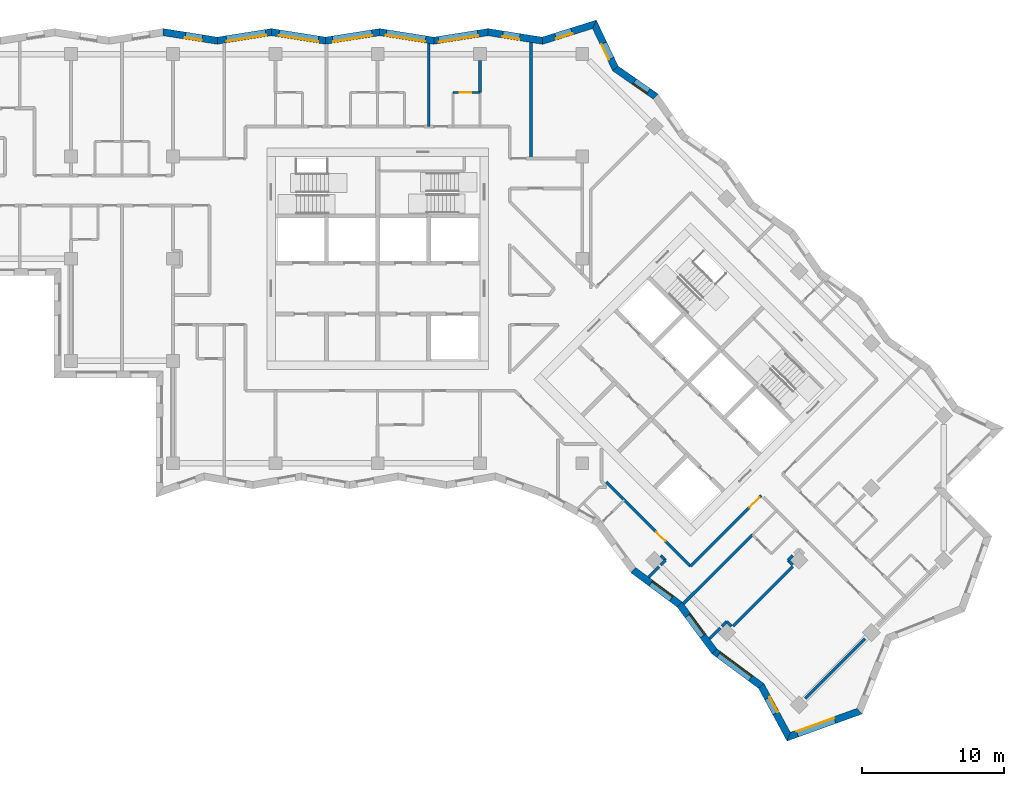
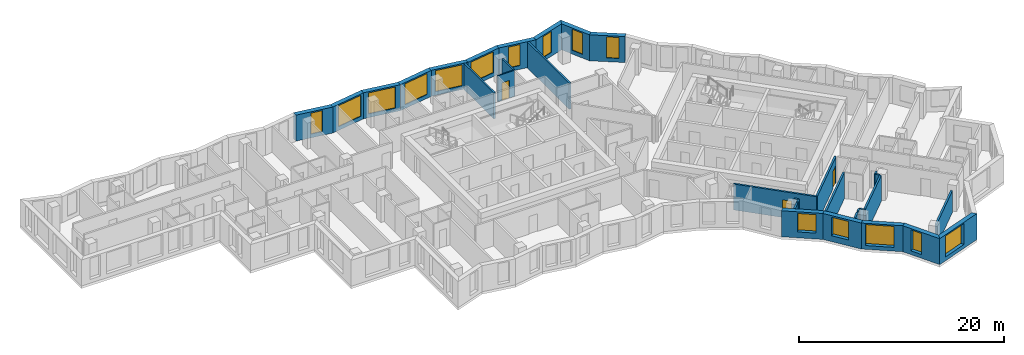
# One storey, part 7 of 12: 32 walls, 15 windows, 3 doors, 18 openings.
"""IFC4 building model written with IfcOpenShell, lengths in metres."""

from ifc_helpers import new_model, si_unit, direction, frame, frame_2d, origin, place, context, subcontext, project, spatial, polyline, rectangle, outline, extrude, material, layer, layer_set, type_object, element, fill, save


model = new_model("IFC4")

# Units and contexts
model_context = context("Model", 3, precision=1e-05, world=origin(), true_north=direction((0.0, 1.0)))
body_context = subcontext(model_context, "Body", "Model", "MODEL_VIEW")
ifc_project = project(units=[si_unit("LENGTHUNIT", "METRE"), si_unit("AREAUNIT", "SQUARE_METRE"), si_unit("VOLUMEUNIT", "CUBIC_METRE"), si_unit("PLANEANGLEUNIT", "RADIAN"), si_unit("MASSUNIT", "GRAM", prefix="KILO")], contexts=[model_context])

# Site, building, storey
site_placement = place(None, origin())
site = spatial("IfcSite", under=ifc_project, at=site_placement, CompositionType="ELEMENT")
building_placement = place(site_placement, origin())
building = spatial("IfcBuilding", under=site, at=building_placement, Name="Windrow Commons", CompositionType="ELEMENT")
storey_placement = place(building_placement, frame((0.0, 0.0, 169.4)))
storey = spatial("IfcBuildingStorey", under=building, at=storey_placement, Name="L46", CompositionType="ELEMENT", Elevation=169.4)

# Wall, opening, window
ifc_material_1 = material(Name="Brick masonry, red clay brick", Category="masonry")
ifc_layer_1 = layer(ifc_material_1, 0.5)
ifc_layer_set_1 = layer_set([ifc_layer_1], Name="Brick facade wall 500")
wall_type_1 = type_object("IfcWallType", Name="Brick facade wall 500", PredefinedType="SOLIDWALL", material=ifc_layer_set_1)
wall_1_placement = place(storey_placement, frame((93.7403, 23.9398, 0.0), z_axis=(0.0, 0.0, 1.0), x_axis=(0.9408725254, 0.3387608166, 0.0)))
wall_1 = element("IfcWall", 1, at=wall_1_placement, inside=storey, type_object=wall_type_1, Name="Brick facade wall L46 1", PredefinedType="SOLIDWALL", context=body_context, shape_type="SweptSolid", body=[
    extrude(outline(polyline([(-0.2149, -0.25), (5.4223, -0.25), (5.1969, 0.25), (0.2149, 0.25), (-0.2149, -0.25)])), origin(), (0.0, 0.0, 1.0), 3.1),
])
opening_1_placement = place(wall_1_placement, frame((0.646, 0.0, 0.45)))
opening_1 = element("IfcOpeningElement", 2, at=opening_1_placement, cuts=wall_1, Name="Opening W1U", PredefinedType="OPENING", context=body_context, shape_type="SweptSolid", body=[
    extrude(rectangle(XDim=2.8, YDim=2.5, at=frame_2d((1.4, 1.25))), frame((0.0, 0.26, 0.0), z_axis=(0.0, -1.0, 0.0), x_axis=(1.0, 0.0, 0.0)), (0.0, 0.0, 1.0), 0.52),
])
ifc_material_2 = material(Name="Clear float glass in anodised aluminium frame", Category="aluminium")
window_type_1 = type_object("IfcWindowType", Name="Window W1U bedroom 2800x2500", PartitioningType="SINGLE_PANEL", PredefinedType="WINDOW", material=ifc_material_2)
window_1_placement = place(opening_1_placement, origin())
window_1 = element("IfcWindow", 3, at=window_1_placement, inside=storey, type_object=window_type_1, Name="Window L46 1.1", OverallHeight=2.5, OverallWidth=2.8, PartitioningType="SINGLE_PANEL", PredefinedType="WINDOW", context=body_context, shape_type="SweptSolid", body=[
    extrude(rectangle(XDim=2.8, YDim=2.5, at=frame_2d((1.4, 1.25))), frame((0.0, 0.18, 0.0), z_axis=(0.0, -1.0, 0.0), x_axis=(1.0, 0.0, 0.0)), (0.0, 0.0, 1.0), 0.06),
])
fill(opening_1, window_1)

wall_2_placement = place(storey_placement, frame((84.3758, 69.015, 0.0), z_axis=(0.0, 0.0, 1.0), x_axis=(-0.8202238295, 0.5720427166, 0.0)))
wall_2 = element("IfcWall", 4, at=wall_2_placement, inside=storey, type_object=wall_type_1, Name="Brick facade wall L46 17", PredefinedType="SOLIDWALL", context=body_context, shape_type="SweptSolid", body=[
    extrude(outline(polyline([(-0.0446, -0.25), (3.3917, -0.25), (3.5242, 0.25), (0.0446, 0.25), (-0.0446, -0.25)])), origin(), (0.0, 0.0, 1.0), 3.1),
])
opening_2_placement = place(wall_2_placement, frame((0.6247, 0.0, 0.45)))
opening_2 = element("IfcOpeningElement", 5, at=opening_2_placement, cuts=wall_2, Name="Opening W7E", PredefinedType="OPENING", context=body_context, shape_type="SweptSolid", body=[
    extrude(rectangle(XDim=1.2, YDim=2.5, at=frame_2d((0.6, 1.25))), frame((0.0, 0.26, 0.0), z_axis=(0.0, -1.0, 0.0), x_axis=(1.0, 0.0, 0.0)), (0.0, 0.0, 1.0), 0.52),
])
ifc_material_3 = material(Name="Clear float glass in anodised aluminium frame", Category="aluminium")
window_type_2 = type_object("IfcWindowType", Name="Window W7 notch 1200x2500", PartitioningType="SINGLE_PANEL", PredefinedType="WINDOW", material=ifc_material_3)
window_2_placement = place(opening_2_placement, origin())
window_2 = element("IfcWindow", 6, at=window_2_placement, inside=storey, type_object=window_type_2, Name="Window L46 17.1", OverallHeight=2.5, OverallWidth=1.2, PartitioningType="SINGLE_PANEL", PredefinedType="WINDOW", context=body_context, shape_type="SweptSolid", body=[
    extrude(rectangle(XDim=1.2, YDim=2.5, at=frame_2d((0.6, 1.25))), frame((0.0, 0.18, 0.0), z_axis=(0.0, -1.0, 0.0), x_axis=(1.0, 0.0, 0.0)), (0.0, 0.0, 1.0), 0.06),
])
fill(opening_2, window_2)

wall_3_placement = place(storey_placement, frame((81.5395, 70.9931, 0.0), z_axis=(0.0, 0.0, 1.0), x_axis=(-0.4293059102, 0.9031591418, 0.0)))
wall_3 = element("IfcWall", 7, at=wall_3_placement, inside=storey, type_object=wall_type_1, Name="Brick facade wall L46 18", PredefinedType="SOLIDWALL", context=body_context, shape_type="SweptSolid", body=[
    extrude(outline(polyline([(0.0662, -0.25), (3.6567, -0.25), (3.2214, 0.25), (-0.0662, 0.25), (0.0662, -0.25)])), origin(), (0.0, 0.0, 1.0), 3.1),
])
opening_3_placement = place(wall_3_placement, frame((0.7557, 0.0, 0.45)))
opening_3 = element("IfcOpeningElement", 8, at=opening_3_placement, cuts=wall_3, Name="Opening W7E", PredefinedType="OPENING", context=body_context, shape_type="SweptSolid", body=[
    extrude(rectangle(XDim=1.2, YDim=2.5, at=frame_2d((0.6, 1.25))), frame((0.0, 0.26, 0.0), z_axis=(0.0, -1.0, 0.0), x_axis=(1.0, 0.0, 0.0)), (0.0, 0.0, 1.0), 0.52),
])
window_3_placement = place(opening_3_placement, origin())
window_3 = element("IfcWindow", 9, at=window_3_placement, inside=storey, type_object=window_type_2, Name="Window L46 18.1", OverallHeight=2.5, OverallWidth=1.2, PartitioningType="SINGLE_PANEL", PredefinedType="WINDOW", context=body_context, shape_type="SweptSolid", body=[
    extrude(rectangle(XDim=1.2, YDim=2.5, at=frame_2d((0.6, 1.25))), frame((0.0, 0.18, 0.0), z_axis=(0.0, -1.0, 0.0), x_axis=(1.0, 0.0, 0.0)), (0.0, 0.0, 1.0), 0.06),
])
fill(opening_3, window_3)

wall_4_placement = place(storey_placement, frame((80.0631, 74.0991, 0.0), z_axis=(0.0, 0.0, 1.0), x_axis=(-0.9536503551, -0.3009169326, 0.0)))
wall_4 = element("IfcWall", 10, at=wall_4_placement, inside=storey, type_object=wall_type_1, Name="Brick facade wall L46 19", PredefinedType="SOLIDWALL", context=body_context, shape_type="SweptSolid", body=[
    extrude(outline(polyline([(-0.2177, -0.25), (3.78, -0.25), (3.8978, 0.25), (0.2177, 0.25), (-0.2177, -0.25)])), origin(), (0.0, 0.0, 1.0), 3.1),
])
opening_4_placement = place(wall_4_placement, frame((1.672, 0.0, 0.45)))
opening_4 = element("IfcOpeningElement", 11, at=opening_4_placement, cuts=wall_4, Name="Opening W7E", PredefinedType="OPENING", context=body_context, shape_type="SweptSolid", body=[
    extrude(rectangle(XDim=1.2, YDim=2.5, at=frame_2d((0.6, 1.25))), frame((0.0, 0.26, 0.0), z_axis=(0.0, -1.0, 0.0), x_axis=(1.0, 0.0, 0.0)), (0.0, 0.0, 1.0), 0.52),
])
window_4_placement = place(opening_4_placement, origin())
window_4 = element("IfcWindow", 12, at=window_4_placement, inside=storey, type_object=window_type_2, Name="Window L46 19.1", OverallHeight=2.5, OverallWidth=1.2, PartitioningType="SINGLE_PANEL", PredefinedType="WINDOW", context=body_context, shape_type="SweptSolid", body=[
    extrude(rectangle(XDim=1.2, YDim=2.5, at=frame_2d((0.6, 1.25))), frame((0.0, 0.18, 0.0), z_axis=(0.0, -1.0, 0.0), x_axis=(1.0, 0.0, 0.0)), (0.0, 0.0, 1.0), 0.06),
])
fill(opening_4, window_4)

wall_5_placement = place(storey_placement, frame((76.4021, 72.9439, 0.0), z_axis=(0.0, 0.0, 1.0), x_axis=(-0.9877221729, 0.1562207065, 0.0)))
wall_5 = element("IfcWall", 13, at=wall_5_placement, inside=storey, type_object=wall_type_1, Name="Brick facade wall L46 20", PredefinedType="SOLIDWALL", context=body_context, shape_type="SweptSolid", body=[
    extrude(outline(polyline([(0.0589, -0.25), (3.9187, -0.25), (3.8396, 0.25), (-0.0589, 0.25), (0.0589, -0.25)])), origin(), (0.0, 0.0, 1.0), 3.1),
])
opening_5_placement = place(wall_5_placement, frame((1.6258, 0.0, 0.45)))
opening_5 = element("IfcOpeningElement", 14, at=opening_5_placement, cuts=wall_5, Name="Opening W7E", PredefinedType="OPENING", context=body_context, shape_type="SweptSolid", body=[
    extrude(rectangle(XDim=1.2, YDim=2.5, at=frame_2d((0.6, 1.25))), frame((0.0, 0.26, 0.0), z_axis=(0.0, -1.0, 0.0), x_axis=(1.0, 0.0, 0.0)), (0.0, 0.0, 1.0), 0.52),
])
window_5_placement = place(opening_5_placement, origin())
window_5 = element("IfcWindow", 15, at=window_5_placement, inside=storey, type_object=window_type_2, Name="Window L46 20.1", OverallHeight=2.5, OverallWidth=1.2, PartitioningType="SINGLE_PANEL", PredefinedType="WINDOW", context=body_context, shape_type="SweptSolid", body=[
    extrude(rectangle(XDim=1.2, YDim=2.5, at=frame_2d((0.6, 1.25))), frame((0.0, 0.18, 0.0), z_axis=(0.0, -1.0, 0.0), x_axis=(1.0, 0.0, 0.0)), (0.0, 0.0, 1.0), 0.06),
])
fill(opening_5, window_5)

wall_6_placement = place(storey_placement, frame((72.5706, 73.5499, 0.0), z_axis=(0.0, 0.0, 1.0), x_axis=(-0.9877213372, -0.1562259905, 0.0)))
wall_6 = element("IfcWall", 16, at=wall_6_placement, inside=storey, type_object=wall_type_1, Name="Brick facade wall L46 21", PredefinedType="SOLIDWALL", context=body_context, shape_type="SweptSolid", body=[
    extrude(outline(polyline([(-0.0395, -0.25), (3.8203, -0.25), (3.8993, 0.25), (0.0395, 0.25), (-0.0395, -0.25)])), origin(), (0.0, 0.0, 1.0), 3.1),
])
opening_6_placement = place(wall_6_placement, frame((0.7187, 0.0, 0.45)))
opening_6 = element("IfcOpeningElement", 17, at=opening_6_placement, cuts=wall_6, Name="Opening W1U", PredefinedType="OPENING", context=body_context, shape_type="SweptSolid", body=[
    extrude(rectangle(XDim=2.8, YDim=2.5, at=frame_2d((1.4, 1.25))), frame((0.0, 0.26, 0.0), z_axis=(0.0, -1.0, 0.0), x_axis=(1.0, 0.0, 0.0)), (0.0, 0.0, 1.0), 0.52),
])
window_6_placement = place(opening_6_placement, origin())
window_6 = element("IfcWindow", 18, at=window_6_placement, inside=storey, type_object=window_type_1, Name="Window L46 21.1", OverallHeight=2.5, OverallWidth=2.8, PartitioningType="SINGLE_PANEL", PredefinedType="WINDOW", context=body_context, shape_type="SweptSolid", body=[
    extrude(rectangle(XDim=2.8, YDim=2.5, at=frame_2d((1.4, 1.25))), frame((0.0, 0.18, 0.0), z_axis=(0.0, -1.0, 0.0), x_axis=(1.0, 0.0, 0.0)), (0.0, 0.0, 1.0), 0.06),
])
fill(opening_6, window_6)

wall_7_placement = place(storey_placement, frame((68.7582, 72.9469, 0.0), z_axis=(0.0, 0.0, 1.0), x_axis=(-0.9877213372, 0.1562259905, 0.0)))
wall_7 = element("IfcWall", 19, at=wall_7_placement, inside=storey, type_object=wall_type_1, Name="Brick facade wall L46 22", PredefinedType="SOLIDWALL", context=body_context, shape_type="SweptSolid", body=[
    extrude(outline(polyline([(0.0395, -0.25), (3.8993, -0.25), (3.8203, 0.25), (-0.0395, 0.25), (0.0395, -0.25)])), origin(), (0.0, 0.0, 1.0), 3.1),
])
opening_7_placement = place(wall_7_placement, frame((0.5915, 0.0, 0.45)))
opening_7 = element("IfcOpeningElement", 20, at=opening_7_placement, cuts=wall_7, Name="Opening W1U", PredefinedType="OPENING", context=body_context, shape_type="SweptSolid", body=[
    extrude(rectangle(XDim=2.8, YDim=2.5, at=frame_2d((1.4, 1.25))), frame((0.0, 0.26, 0.0), z_axis=(0.0, -1.0, 0.0), x_axis=(1.0, 0.0, 0.0)), (0.0, 0.0, 1.0), 0.52),
])
window_7_placement = place(opening_7_placement, origin())
window_7 = element("IfcWindow", 21, at=window_7_placement, inside=storey, type_object=window_type_1, Name="Window L46 22.1", OverallHeight=2.5, OverallWidth=2.8, PartitioningType="SINGLE_PANEL", PredefinedType="WINDOW", context=body_context, shape_type="SweptSolid", body=[
    extrude(rectangle(XDim=2.8, YDim=2.5, at=frame_2d((1.4, 1.25))), frame((0.0, 0.18, 0.0), z_axis=(0.0, -1.0, 0.0), x_axis=(1.0, 0.0, 0.0)), (0.0, 0.0, 1.0), 0.06),
])
fill(opening_7, window_7)

wall_8_placement = place(storey_placement, frame((64.9458, 73.5499, 0.0), z_axis=(0.0, 0.0, 1.0), x_axis=(-0.9877213372, -0.1562259905, 0.0)))
wall_8 = element("IfcWall", 22, at=wall_8_placement, inside=storey, type_object=wall_type_1, Name="Brick facade wall L46 23", PredefinedType="SOLIDWALL", context=body_context, shape_type="SweptSolid", body=[
    extrude(outline(polyline([(-0.0395, -0.25), (3.8203, -0.25), (3.8993, 0.25), (0.0395, 0.25), (-0.0395, -0.25)])), origin(), (0.0, 0.0, 1.0), 3.1),
])
opening_8_placement = place(wall_8_placement, frame((0.5497, 0.0, 0.45)))
opening_8 = element("IfcOpeningElement", 23, at=opening_8_placement, cuts=wall_8, Name="Opening W1U", PredefinedType="OPENING", context=body_context, shape_type="SweptSolid", body=[
    extrude(rectangle(XDim=2.8, YDim=2.5, at=frame_2d((1.4, 1.25))), frame((0.0, 0.26, 0.0), z_axis=(0.0, -1.0, 0.0), x_axis=(1.0, 0.0, 0.0)), (0.0, 0.0, 1.0), 0.52),
])
window_8_placement = place(opening_8_placement, origin())
window_8 = element("IfcWindow", 24, at=window_8_placement, inside=storey, type_object=window_type_1, Name="Window L46 23.1", OverallHeight=2.5, OverallWidth=2.8, PartitioningType="SINGLE_PANEL", PredefinedType="WINDOW", context=body_context, shape_type="SweptSolid", body=[
    extrude(rectangle(XDim=2.8, YDim=2.5, at=frame_2d((1.4, 1.25))), frame((0.0, 0.18, 0.0), z_axis=(0.0, -1.0, 0.0), x_axis=(1.0, 0.0, 0.0)), (0.0, 0.0, 1.0), 0.06),
])
fill(opening_8, window_8)

wall_9_placement = place(storey_placement, frame((61.1334, 72.9469, 0.0), z_axis=(0.0, 0.0, 1.0), x_axis=(-0.9877213372, 0.1562259905, 0.0)))
wall_9 = element("IfcWall", 25, at=wall_9_placement, inside=storey, type_object=wall_type_1, Name="Brick facade wall L46 24", PredefinedType="SOLIDWALL", context=body_context, shape_type="SweptSolid", body=[
    extrude(outline(polyline([(0.0395, -0.25), (3.8993, -0.25), (3.8203, 0.25), (-0.0395, 0.25), (0.0395, -0.25)])), origin(), (0.0, 0.0, 1.0), 3.1),
])
opening_9_placement = place(wall_9_placement, frame((0.5101, 0.0, 0.45)))
opening_9 = element("IfcOpeningElement", 26, at=opening_9_placement, cuts=wall_9, Name="Opening W1U", PredefinedType="OPENING", context=body_context, shape_type="SweptSolid", body=[
    extrude(rectangle(XDim=2.8, YDim=2.5, at=frame_2d((1.4, 1.25))), frame((0.0, 0.26, 0.0), z_axis=(0.0, -1.0, 0.0), x_axis=(1.0, 0.0, 0.0)), (0.0, 0.0, 1.0), 0.52),
])
window_9_placement = place(opening_9_placement, origin())
window_9 = element("IfcWindow", 27, at=window_9_placement, inside=storey, type_object=window_type_1, Name="Window L46 24.1", OverallHeight=2.5, OverallWidth=2.8, PartitioningType="SINGLE_PANEL", PredefinedType="WINDOW", context=body_context, shape_type="SweptSolid", body=[
    extrude(rectangle(XDim=2.8, YDim=2.5, at=frame_2d((1.4, 1.25))), frame((0.0, 0.18, 0.0), z_axis=(0.0, -1.0, 0.0), x_axis=(1.0, 0.0, 0.0)), (0.0, 0.0, 1.0), 0.06),
])
fill(opening_9, window_9)

wall_10_placement = place(storey_placement, frame((57.321, 73.5499, 0.0), z_axis=(0.0, 0.0, 1.0), x_axis=(-0.9877213372, -0.1562259905, 0.0)))
wall_10 = element("IfcWall", 28, at=wall_10_placement, inside=storey, type_object=wall_type_1, Name="Brick facade wall L46 25", PredefinedType="SOLIDWALL", context=body_context, shape_type="SweptSolid", body=[
    extrude(outline(polyline([(-0.0395, -0.25), (3.8203, -0.25), (3.8993, 0.25), (0.0395, 0.25), (-0.0395, -0.25)])), origin(), (0.0, 0.0, 1.0), 3.1),
])
opening_10_placement = place(wall_10_placement, frame((0.4009, 0.0, 0.45)))
opening_10 = element("IfcOpeningElement", 29, at=opening_10_placement, cuts=wall_10, Name="Opening W1U", PredefinedType="OPENING", context=body_context, shape_type="SweptSolid", body=[
    extrude(rectangle(XDim=2.8, YDim=2.5, at=frame_2d((1.4, 1.25))), frame((0.0, 0.26, 0.0), z_axis=(0.0, -1.0, 0.0), x_axis=(1.0, 0.0, 0.0)), (0.0, 0.0, 1.0), 0.52),
])
window_10_placement = place(opening_10_placement, origin())
window_10 = element("IfcWindow", 30, at=window_10_placement, inside=storey, type_object=window_type_1, Name="Window L46 25.1", OverallHeight=2.5, OverallWidth=2.8, PartitioningType="SINGLE_PANEL", PredefinedType="WINDOW", context=body_context, shape_type="SweptSolid", body=[
    extrude(rectangle(XDim=2.8, YDim=2.5, at=frame_2d((1.4, 1.25))), frame((0.0, 0.18, 0.0), z_axis=(0.0, -1.0, 0.0), x_axis=(1.0, 0.0, 0.0)), (0.0, 0.0, 1.0), 0.06),
])
fill(opening_10, window_10)

wall_11_placement = place(storey_placement, frame((53.5086, 72.9469, 0.0), z_axis=(0.0, 0.0, 1.0), x_axis=(-0.9877213372, 0.1562259905, 0.0)))
wall_11 = element("IfcWall", 31, at=wall_11_placement, inside=storey, type_object=wall_type_1, Name="Brick facade wall L46 26", PredefinedType="SOLIDWALL", context=body_context, shape_type="SweptSolid", body=[
    extrude(outline(polyline([(0.0395, -0.25), (3.8993, -0.25), (3.8203, 0.25), (-0.0395, 0.25), (0.0395, -0.25)])), origin(), (0.0, 0.0, 1.0), 3.1),
])
opening_11_placement = place(wall_11_placement, frame((1.0736, 0.0, 0.45)))
opening_11 = element("IfcOpeningElement", 32, at=opening_11_placement, cuts=wall_11, Name="Opening W7E", PredefinedType="OPENING", context=body_context, shape_type="SweptSolid", body=[
    extrude(rectangle(XDim=1.2, YDim=2.5, at=frame_2d((0.6, 1.25))), frame((0.0, 0.26, 0.0), z_axis=(0.0, -1.0, 0.0), x_axis=(1.0, 0.0, 0.0)), (0.0, 0.0, 1.0), 0.52),
])
window_11_placement = place(opening_11_placement, origin())
window_11 = element("IfcWindow", 33, at=window_11_placement, inside=storey, type_object=window_type_2, Name="Window L46 26.1", OverallHeight=2.5, OverallWidth=1.2, PartitioningType="SINGLE_PANEL", PredefinedType="WINDOW", context=body_context, shape_type="SweptSolid", body=[
    extrude(rectangle(XDim=1.2, YDim=2.5, at=frame_2d((0.6, 1.25))), frame((0.0, 0.18, 0.0), z_axis=(0.0, -1.0, 0.0), x_axis=(1.0, 0.0, 0.0)), (0.0, 0.0, 1.0), 0.06),
])
fill(opening_11, window_11)

wall_12_placement = place(storey_placement, frame((82.7823, 35.6782, 0.0), z_axis=(0.0, 0.0, 1.0), x_axis=(0.8036316743, -0.5951269881, 0.0)))
wall_12 = element("IfcWall", 34, at=wall_12_placement, inside=storey, type_object=wall_type_1, Name="Brick facade wall L46 52", PredefinedType="SOLIDWALL", context=body_context, shape_type="SweptSolid", body=[
    extrude(outline(polyline([(-0.0373, -0.25), (4.0533, -0.25), (4.1278, 0.25), (0.0373, 0.25), (-0.0373, -0.25)])), origin(), (0.0, 0.0, 1.0), 3.1),
])
opening_12_placement = place(wall_12_placement, frame((1.5647, 0.0, 0.7)))
opening_12 = element("IfcOpeningElement", 35, at=opening_12_placement, cuts=wall_12, Name="Opening W6", PredefinedType="OPENING", context=body_context, shape_type="SweptSolid", body=[
    extrude(rectangle(XDim=1.8, YDim=2.2, at=frame_2d((0.9, 1.1))), frame((0.0, 0.26, 0.0), z_axis=(0.0, -1.0, 0.0), x_axis=(1.0, 0.0, 0.0)), (0.0, 0.0, 1.0), 0.52),
])
ifc_material_4 = material(Name="Clear float glass in anodised aluminium frame", Category="aluminium")
window_type_3 = type_object("IfcWindowType", Name="Window W6 crown 1800x2200", PartitioningType="SINGLE_PANEL", PredefinedType="WINDOW", material=ifc_material_4)
window_12_placement = place(opening_12_placement, origin())
window_12 = element("IfcWindow", 36, at=window_12_placement, inside=storey, type_object=window_type_3, Name="Window L46 52.1A", OverallHeight=2.2, OverallWidth=1.8, PartitioningType="SINGLE_PANEL", PredefinedType="WINDOW", context=body_context, shape_type="SweptSolid", body=[
    extrude(rectangle(XDim=1.8, YDim=2.2, at=frame_2d((0.9, 1.1))), frame((0.0, 0.18, 0.0), z_axis=(0.0, -1.0, 0.0), x_axis=(1.0, 0.0, 0.0)), (0.0, 0.0, 1.0), 0.06),
])
fill(opening_12, window_12)

wall_13_placement = place(storey_placement, frame((86.0696, 33.2438, 0.0), z_axis=(0.0, 0.0, 1.0), x_axis=(0.5951427759, -0.8036199825, 0.0)))
wall_13 = element("IfcWall", 37, at=wall_13_placement, inside=storey, type_object=wall_type_1, Name="Brick facade wall L46 53", PredefinedType="SOLIDWALL", context=body_context, shape_type="SweptSolid", body=[
    extrude(outline(polyline([(0.0373, -0.25), (4.1278, -0.25), (4.0533, 0.25), (-0.0373, 0.25), (0.0373, -0.25)])), origin(), (0.0, 0.0, 1.0), 3.1),
])
opening_13_placement = place(wall_13_placement, frame((0.9556, 0.0, 0.7)))
opening_13 = element("IfcOpeningElement", 38, at=opening_13_placement, cuts=wall_13, Name="Opening W6", PredefinedType="OPENING", context=body_context, shape_type="SweptSolid", body=[
    extrude(rectangle(XDim=1.8, YDim=2.2, at=frame_2d((0.9, 1.1))), frame((0.0, 0.26, 0.0), z_axis=(0.0, -1.0, 0.0), x_axis=(1.0, 0.0, 0.0)), (0.0, 0.0, 1.0), 0.52),
])
window_13_placement = place(opening_13_placement, origin())
window_13 = element("IfcWindow", 39, at=window_13_placement, inside=storey, type_object=window_type_3, Name="Window L46 53.1A", OverallHeight=2.2, OverallWidth=1.8, PartitioningType="SINGLE_PANEL", PredefinedType="WINDOW", context=body_context, shape_type="SweptSolid", body=[
    extrude(rectangle(XDim=1.8, YDim=2.2, at=frame_2d((0.9, 1.1))), frame((0.0, 0.18, 0.0), z_axis=(0.0, -1.0, 0.0), x_axis=(1.0, 0.0, 0.0)), (0.0, 0.0, 1.0), 0.06),
])
fill(opening_13, window_13)

wall_14_placement = place(storey_placement, frame((88.5041, 29.9565, 0.0), z_axis=(0.0, 0.0, 1.0), x_axis=(0.8036097892, -0.5951565397, 0.0)))
wall_14 = element("IfcWall", 40, at=wall_14_placement, inside=storey, type_object=wall_type_1, Name="Brick facade wall L46 54", PredefinedType="SOLIDWALL", context=body_context, shape_type="SweptSolid", body=[
    extrude(outline(polyline([(-0.0373, -0.25), (4.0533, -0.25), (4.1643, 0.25), (0.0373, 0.25), (-0.0373, -0.25)])), origin(), (0.0, 0.0, 1.0), 3.1),
])
opening_14_placement = place(wall_14_placement, frame((0.3827, 0.0, 0.45)))
opening_14 = element("IfcOpeningElement", 41, at=opening_14_placement, cuts=wall_14, Name="Opening W1U", PredefinedType="OPENING", context=body_context, shape_type="SweptSolid", body=[
    extrude(rectangle(XDim=2.8, YDim=2.5, at=frame_2d((1.4, 1.25))), frame((0.0, 0.26, 0.0), z_axis=(0.0, -1.0, 0.0), x_axis=(1.0, 0.0, 0.0)), (0.0, 0.0, 1.0), 0.52),
])
window_14_placement = place(opening_14_placement, origin())
window_14 = element("IfcWindow", 42, at=window_14_placement, inside=storey, type_object=window_type_1, Name="Window L46 54.1", OverallHeight=2.5, OverallWidth=2.8, PartitioningType="SINGLE_PANEL", PredefinedType="WINDOW", context=body_context, shape_type="SweptSolid", body=[
    extrude(rectangle(XDim=2.8, YDim=2.5, at=frame_2d((1.4, 1.25))), frame((0.0, 0.18, 0.0), z_axis=(0.0, -1.0, 0.0), x_axis=(1.0, 0.0, 0.0)), (0.0, 0.0, 1.0), 0.06),
])
fill(opening_14, window_14)

wall_15_placement = place(storey_placement, frame((91.806, 27.5111, 0.0), z_axis=(0.0, 0.0, 1.0), x_axis=(0.4762538008, -0.8793078626, 0.0)))
wall_15 = element("IfcWall", 43, at=wall_15_placement, inside=storey, type_object=wall_type_1, Name="Brick facade wall L46 55", PredefinedType="SOLIDWALL", context=body_context, shape_type="SweptSolid", body=[
    extrude(outline(polyline([(0.0555, -0.25), (4.2765, -0.25), (3.8467, 0.25), (-0.0555, 0.25), (0.0555, -0.25)])), origin(), (0.0, 0.0, 1.0), 3.1),
])
opening_15_placement = place(wall_15_placement, frame((0.9751, 0.0, 0.45)))
opening_15 = element("IfcOpeningElement", 44, at=opening_15_placement, cuts=wall_15, Name="Opening W7E", PredefinedType="OPENING", context=body_context, shape_type="SweptSolid", body=[
    extrude(rectangle(XDim=1.2, YDim=2.5, at=frame_2d((0.6, 1.25))), frame((0.0, 0.26, 0.0), z_axis=(0.0, -1.0, 0.0), x_axis=(1.0, 0.0, 0.0)), (0.0, 0.0, 1.0), 0.52),
])
window_15_placement = place(opening_15_placement, origin())
window_15 = element("IfcWindow", 45, at=window_15_placement, inside=storey, type_object=window_type_2, Name="Window L46 55.1", OverallHeight=2.5, OverallWidth=1.2, PartitioningType="SINGLE_PANEL", PredefinedType="WINDOW", context=body_context, shape_type="SweptSolid", body=[
    extrude(rectangle(XDim=1.2, YDim=2.5, at=frame_2d((0.6, 1.25))), frame((0.0, 0.18, 0.0), z_axis=(0.0, -1.0, 0.0), x_axis=(1.0, 0.0, 0.0)), (0.0, 0.0, 1.0), 0.06),
])
fill(opening_15, window_15)

# Wall, opening, door
ifc_material_5 = material(Name="Blockwork partition", Category="masonry")
ifc_layer_2 = layer(ifc_material_5, 0.2)
ifc_layer_set_2 = layer_set([ifc_layer_2], Name="IW-CORRIDOR-200")
wall_type_2 = type_object("IfcWallType", Name="IW-CORRIDOR-200", PredefinedType="PARTITIONING", material=ifc_layer_set_2)
wall_16_placement = place(storey_placement, frame((80.8989, 41.8689, 0.0), z_axis=(0.0, 0.0, 1.0), x_axis=(0.7071067812, -0.7071067812, 0.0)))
wall_16 = element("IfcWall", 46, at=wall_16_placement, inside=storey, type_object=wall_type_2, Name="W-L46-W012", PredefinedType="PARTITIONING", context=body_context, shape_type="SweptSolid", body=[
    extrude(rectangle(XDim=8.3919, YDim=0.2, at=frame_2d((4.1959, 0.0))), origin(), (0.0, 0.0, 1.0), 3.1),
])
opening_16_placement = place(wall_16_placement, frame((4.9788, 0.0, 0.0)))
opening_16 = element("IfcOpeningElement", 47, at=opening_16_placement, cuts=wall_16, Name="Opening D109S", PredefinedType="OPENING", context=body_context, shape_type="SweptSolid", body=[
    extrude(rectangle(XDim=0.9, YDim=2.1, at=frame_2d((0.45, 1.05))), frame((0.0, 0.11, 0.0), z_axis=(0.0, -1.0, 0.0), x_axis=(1.0, 0.0, 0.0)), (0.0, 0.0, 1.0), 0.22),
])
ifc_material_6 = material(Name="Timber door leaf", Category="wood")
door_type_1 = type_object("IfcDoorType", Name="DT-BEDROOM-900", OperationType="SINGLE_SWING_LEFT", PredefinedType="DOOR", material=ifc_material_6)
door_1_placement = place(opening_16_placement, origin())
door_1 = element("IfcDoor", 48, at=door_1_placement, inside=storey, type_object=door_type_1, Name="D-L46-D049", OperationType="SINGLE_SWING_RIGHT", OverallHeight=2.1, OverallWidth=0.9, PredefinedType="DOOR", context=body_context, shape_type="SweptSolid", body=[
    extrude(rectangle(XDim=0.9, YDim=2.1, at=frame_2d((0.45, 1.05))), frame((0.0, 0.025, 0.0), z_axis=(0.0, -1.0, 0.0), x_axis=(1.0, 0.0, 0.0)), (0.0, 0.0, 1.0), 0.05),
])
fill(opening_16, door_1)

wall_17_placement = place(storey_placement, frame((86.8339, 35.9401, 0.0), z_axis=(0.0, 0.0, 1.0), x_axis=(0.7072486139, 0.7069649201, 0.0)))
wall_17 = element("IfcWall", 49, at=wall_17_placement, inside=storey, type_object=wall_type_2, Name="W-L46-W017", PredefinedType="PARTITIONING", context=body_context, shape_type="SweptSolid", body=[
    extrude(rectangle(XDim=7.0499, YDim=0.2, at=frame_2d((3.525, 0.0))), origin(), (0.0, 0.0, 1.0), 3.1),
])
opening_17_placement = place(wall_17_placement, frame((5.8475, 0.0, 0.0)))
opening_17 = element("IfcOpeningElement", 50, at=opening_17_placement, cuts=wall_17, Name="Opening D310F", PredefinedType="OPENING", context=body_context, shape_type="SweptSolid", body=[
    extrude(rectangle(XDim=1.0, YDim=2.1, at=frame_2d((0.5, 1.05))), frame((0.0, 0.11, 0.0), z_axis=(0.0, -1.0, 0.0), x_axis=(1.0, 0.0, 0.0)), (0.0, 0.0, 1.0), 0.22),
])
ifc_material_7 = material(Name="Timber door leaf", Category="wood")
door_type_2 = type_object("IfcDoorType", Name="DT-AMENITY-1000", OperationType="SINGLE_SWING_LEFT", PredefinedType="DOOR", material=ifc_material_7)
door_2_placement = place(opening_17_placement, origin())
door_2 = element("IfcDoor", 51, at=door_2_placement, inside=storey, type_object=door_type_2, Name="D-L46-D051", OperationType="SINGLE_SWING_RIGHT", OverallHeight=2.1, OverallWidth=1.0, PredefinedType="DOOR", context=body_context, shape_type="SweptSolid", body=[
    extrude(rectangle(XDim=1.0, YDim=2.1, at=frame_2d((0.5, 1.05))), frame((0.0, 0.025, 0.0), z_axis=(0.0, -1.0, 0.0), x_axis=(1.0, 0.0, 0.0)), (0.0, 0.0, 1.0), 0.05),
])
fill(opening_17, door_2)

ifc_material_8 = material(Name="Blockwork partition", Category="masonry")
ifc_layer_3 = layer(ifc_material_8, 0.15)
ifc_layer_set_3 = layer_set([ifc_layer_3], Name="IW-ENSUITE-150")
wall_type_3 = type_object("IfcWallType", Name="IW-ENSUITE-150", PredefinedType="PARTITIONING", material=ifc_layer_set_3)
wall_18_placement = place(storey_placement, frame((70.1, 69.3, 0.0), z_axis=(0.0, 0.0, 1.0), x_axis=(1.0, 0.0, 0.0)))
wall_18 = element("IfcWall", 52, at=wall_18_placement, inside=storey, type_object=wall_type_3, Name="W-L46-W117", PredefinedType="PARTITIONING", context=body_context, shape_type="SweptSolid", body=[
    extrude(rectangle(XDim=1.9, YDim=0.15, at=frame_2d((0.95, 0.0))), origin(), (0.0, 0.0, 1.0), 3.1),
])
opening_18_placement = place(wall_18_placement, frame((0.4931, 0.0, 0.0)))
opening_18 = element("IfcOpeningElement", 53, at=opening_18_placement, cuts=wall_18, Name="Opening D208N", PredefinedType="OPENING", context=body_context, shape_type="SweptSolid", body=[
    extrude(rectangle(XDim=0.8, YDim=2.1, at=frame_2d((0.4, 1.05))), frame((0.0, 0.085, 0.0), z_axis=(0.0, -1.0, 0.0), x_axis=(1.0, 0.0, 0.0)), (0.0, 0.0, 1.0), 0.17),
])
ifc_material_9 = material(Name="Timber door leaf", Category="wood")
door_type_3 = type_object("IfcDoorType", Name="DT-ENSUITE-800", OperationType="SINGLE_SWING_LEFT", PredefinedType="DOOR", material=ifc_material_9)
door_3_placement = place(opening_18_placement, origin())
door_3 = element("IfcDoor", 54, at=door_3_placement, inside=storey, type_object=door_type_3, Name="D-L46-D035", OperationType="SINGLE_SWING_RIGHT", OverallHeight=2.1, OverallWidth=0.8, PredefinedType="DOOR", context=body_context, shape_type="SweptSolid", body=[
    extrude(rectangle(XDim=0.8, YDim=2.1, at=frame_2d((0.4, 1.05))), frame((0.0, 0.025, 0.0), z_axis=(0.0, -1.0, 0.0), x_axis=(1.0, 0.0, 0.0)), (0.0, 0.0, 1.0), 0.05),
])
fill(opening_18, door_3)

# Walls
ifc_material_10 = material(Name="Blockwork partition", Category="masonry")
ifc_layer_4 = layer(ifc_material_10, 0.2)
ifc_layer_set_4 = layer_set([ifc_layer_4], Name="IW-PARTY-200")
wall_type_4 = type_object("IfcWallType", Name="IW-PARTY-200", PredefinedType="PARTITIONING", material=ifc_layer_set_4)
wall_19_placement = place(storey_placement, frame((75.6, 64.65, 0.0), z_axis=(0.0, 0.0, 1.0), x_axis=(0.0, 1.0, 0.0)))
element("IfcWall", 55, at=wall_19_placement, inside=storey, type_object=wall_type_4, Name="W-L46-W014", PredefinedType="PARTITIONING", context=body_context, shape_type="SweptSolid", body=[
    extrude(rectangle(XDim=8.1676, YDim=0.2, at=frame_2d((4.0838, 0.0))), origin(), (0.0, 0.0, 1.0), 3.1),
])
wall_20_placement = place(storey_placement, frame((86.3291, 33.3135, 0.0), z_axis=(0.0, 0.0, 1.0), x_axis=(0.7072524502, 0.7069610821, 0.0)))
element("IfcWall", 56, at=wall_20_placement, inside=storey, type_object=wall_type_4, Name="W-L46-W019", PredefinedType="PARTITIONING", context=body_context, shape_type="SweptSolid", body=[
    extrude(rectangle(XDim=6.8642, YDim=0.2, at=frame_2d((3.4321, 0.0))), origin(), (0.0, 0.0, 1.0), 3.1),
])
wall_21_placement = place(storey_placement, frame((89.831, 31.721, 0.0), z_axis=(0.0, 0.0, 1.0), x_axis=(0.7071067812, 0.7071067812, 0.0)))
element("IfcWall", 57, at=wall_21_placement, inside=storey, type_object=wall_type_4, Name="W-L46-W027", PredefinedType="PARTITIONING", context=body_context, shape_type="SweptSolid", body=[
    extrude(rectangle(XDim=5.9284, YDim=0.2, at=frame_2d((2.9642, 0.0))), origin(), (0.0, 0.0, 1.0), 3.1),
])
wall_22_placement = place(storey_placement, frame((94.9232, 26.6308, 0.0), z_axis=(0.0, 0.0, 1.0), x_axis=(0.7071067812, 0.7071067812, 0.0)))
element("IfcWall", 58, at=wall_22_placement, inside=storey, type_object=wall_type_4, Name="W-L46-W029", PredefinedType="PARTITIONING", context=body_context, shape_type="SweptSolid", body=[
    extrude(rectangle(XDim=5.9256, YDim=0.2, at=frame_2d((2.9628, 0.0))), origin(), (0.0, 0.0, 1.0), 2.6),
])
wall_23_placement = place(storey_placement, frame((68.4, 66.9, 0.0), z_axis=(0.0, 0.0, 1.0), x_axis=(0.0, 1.0, 0.0)))
element("IfcWall", 59, at=wall_23_placement, inside=storey, type_object=wall_type_4, Name="W-L46-W030", PredefinedType="PARTITIONING", context=body_context, shape_type="SweptSolid", body=[
    extrude(rectangle(XDim=5.8504, YDim=0.2, at=frame_2d((2.9252, 0.0))), origin(), (0.0, 0.0, 1.0), 3.1),
])
wall_24_placement = place(storey_placement, frame((72.0, 69.3, 0.0), z_axis=(0.0, 0.0, 1.0), x_axis=(0.0, 1.0, 0.0)))
element("IfcWall", 60, at=wall_24_placement, inside=storey, type_object=wall_type_4, Name="W-L46-W106", PredefinedType="PARTITIONING", context=body_context, shape_type="SweptSolid", body=[
    extrude(rectangle(XDim=2.25, YDim=0.2, at=frame_2d((1.125, 0.0))), origin(), (0.0, 0.0, 1.0), 3.1),
])
wall_25_placement = place(storey_placement, frame((88.1657, 30.8335, 0.0), z_axis=(0.0, 0.0, 1.0), x_axis=(0.7071067812, 0.7071067812, 0.0)))
element("IfcWall", 61, at=wall_25_placement, inside=storey, type_object=wall_type_4, Name="W-L46-W132", PredefinedType="PARTITIONING", context=body_context, shape_type="SweptSolid", body=[
    extrude(rectangle(XDim=1.0824, YDim=0.2, at=frame_2d((0.5412, 0.0))), origin(), (0.0, 0.0, 1.0), 3.1),
])
wall_26_placement = place(storey_placement, frame((83.8867, 35.1715, 0.0), z_axis=(0.0, 0.0, 1.0), x_axis=(0.7051824299, 0.7090259096, 0.0)))
element("IfcWall", 62, at=wall_26_placement, inside=storey, type_object=wall_type_4, Name="W-L46-W133", PredefinedType="PARTITIONING", context=body_context, shape_type="SweptSolid", body=[
    extrude(rectangle(XDim=1.0407, YDim=0.2, at=frame_2d((0.5203, 0.0))), origin(), (0.0, 0.0, 1.0), 3.1),
])
for number, where, z_axis, x_axis, name in (
    (63, (89.3863, 32.0523, 0.0), (0.0, 0.0, 1.0), (0.7071067812, -0.7071067812, 0.0), "W-L46-W156"),
    (64, (89.0531, 31.7209, 0.0), (0.0, 0.0, 1.0), (0.7071067812, 0.7071067812, 0.0), "W-L46-W157"),
    (65, (93.6911, 36.3589, 0.0), (0.0, 0.0, 1.0), (0.7071067812, 0.7071067812, 0.0), "W-L46-W158"),
):
    element("IfcWall", number, at=place(storey_placement, frame(where, z_axis=z_axis, x_axis=x_axis)), inside=storey, type_object=wall_type_4, Name=name, PredefinedType="PARTITIONING", context=body_context, shape_type="SweptSolid", body=[
        extrude(rectangle(XDim=0.4695, YDim=0.2, at=frame_2d((0.2347, 0.0))), origin(), (0.0, 0.0, 1.0), 3.1),
    ])
for number, where, z_axis, x_axis, name in (
    (66, (84.7423, 36.0337, 0.0), (0.0, 0.0, 1.0), (0.7049672897, 0.7092398187, 0.0), "W-L46-W160"),
    (67, (93.6946, 36.3606, 0.0), (0.0, 0.0, 1.0), (0.7092398187, -0.7049672897, 0.0), "W-L46-W161"),
):
    element("IfcWall", number, at=place(storey_placement, frame(where, z_axis=z_axis, x_axis=x_axis)), inside=storey, type_object=wall_type_4, Name=name, PredefinedType="PARTITIONING", context=body_context, shape_type="SweptSolid", body=[
        extrude(rectangle(XDim=0.4681, YDim=0.2, at=frame_2d((0.2341, 0.0))), origin(), (0.0, 0.0, 1.0), 3.1),
    ])
wall_27_placement = place(storey_placement, frame((84.7423, 36.6963, 0.0), z_axis=(0.0, 0.0, 1.0), x_axis=(0.7071067812, -0.7071067812, 0.0)))
element("IfcWall", 68, at=wall_27_placement, inside=storey, type_object=wall_type_4, Name="W-L46-W162", PredefinedType="PARTITIONING", context=body_context, shape_type="SweptSolid", body=[
    extrude(rectangle(XDim=0.4667, YDim=0.2, at=frame_2d((0.2334, 0.0))), origin(), (0.0, 0.0, 1.0), 3.1),
])

save(model, "model.ifc")
